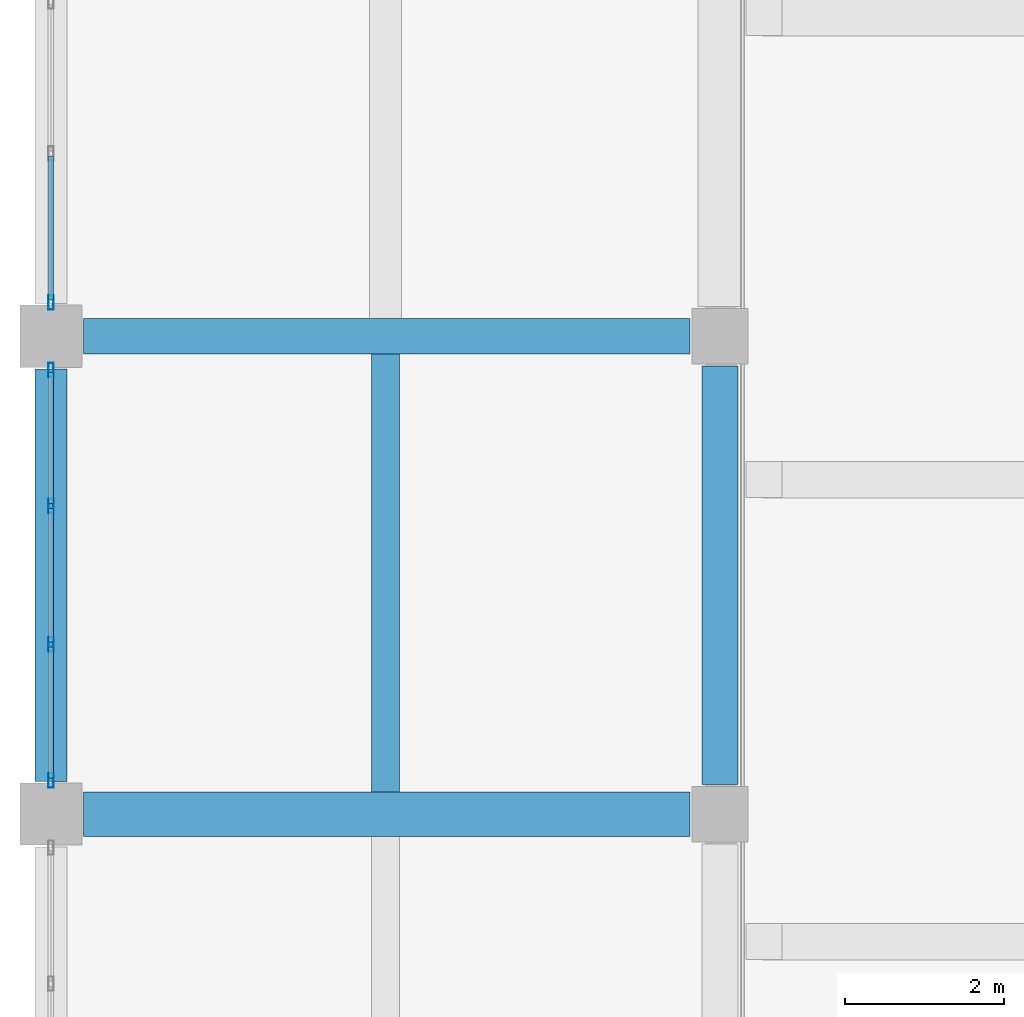
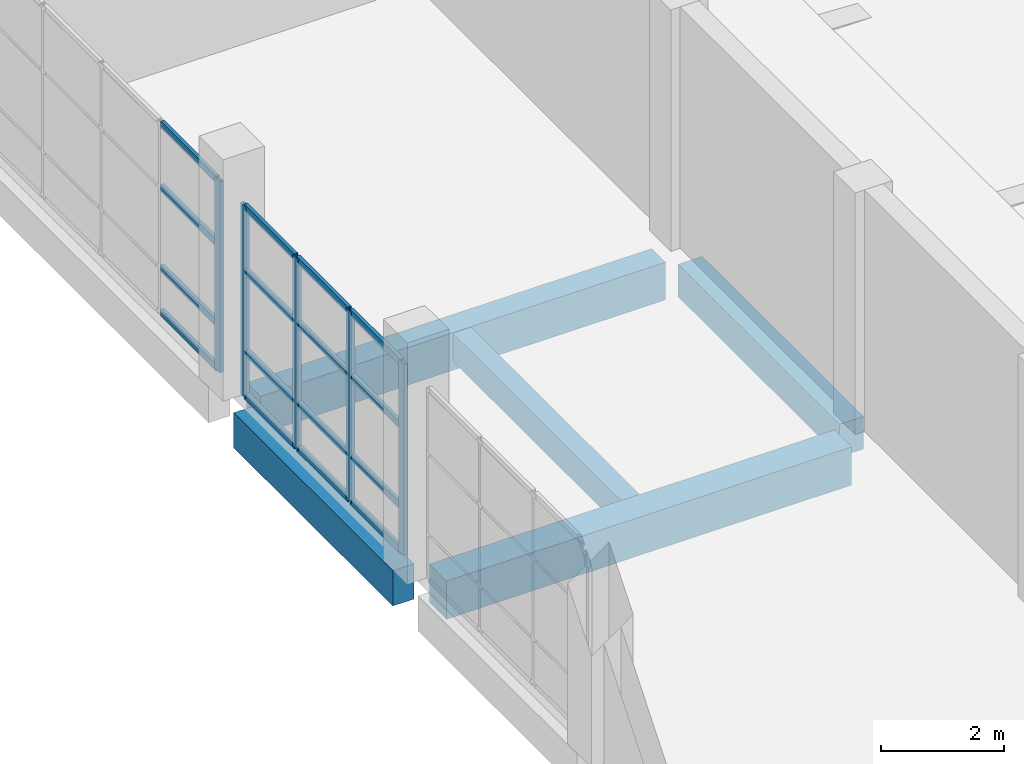
# One storey, part 11 of 91: 21 members, 5 beams, 2 elements without a shape of their own.
"""IFC4 building model written with IfcOpenShell, lengths in metres."""

from ifc_helpers import new_model, si_unit, direction, frame, origin, origin_2d, place, context, subcontext, project, spatial, rectangle, hollow_rectangle, extrude, material, material_profile, profile_set, type_object, element, aggregate, save


model = new_model("IFC4")

# Units and contexts
model_context = context("Model", 3, precision=1e-05, world=origin(), true_north=direction((0.0, 1.0)))
body_context = subcontext(model_context, "Body", "Model", "MODEL_VIEW")
ifc_project = project(units=[si_unit("LENGTHUNIT", "METRE"), si_unit("AREAUNIT", "SQUARE_METRE"), si_unit("VOLUMEUNIT", "CUBIC_METRE"), si_unit("PLANEANGLEUNIT", "RADIAN"), si_unit("MASSUNIT", "GRAM", prefix="KILO")], contexts=[model_context])

# Site, building, storey
site_placement = place(None, origin())
site = spatial("IfcSite", under=ifc_project, at=site_placement, CompositionType="ELEMENT")
building_placement = place(site_placement, origin())
building = spatial("IfcBuilding", under=site, at=building_placement, Name="Pellamere Symphony Hall", CompositionType="ELEMENT")
storey_placement = place(building_placement, frame((0.0, 0.0, 5.39990234375)))
storey = spatial("IfcBuildingStorey", under=building, at=storey_placement, Name="L01", CompositionType="ELEMENT", Elevation=5.39990234375)

# Curtain wall, members
ifc_material_1 = material(Name="Thermally Broken Anodised Aluminium 6063-T6 Curtain Wall", Category="aluminium")
curtain_wall_type = type_object("IfcCurtainWallType", Name="Curtain Wall CW-04 (Chamber Music Lobby Curtain Wall)", PredefinedType="NOTDEFINED", material=ifc_material_1)
curtain_wall_1_placement = place(storey_placement, origin())
curtain_wall_1 = element("IfcCurtainWall", 1, at=curtain_wall_1_placement, inside=storey, type_object=curtain_wall_type, Name="Chamber West Gallery Curtain Wall (L01 Bay 2)", PredefinedType="NOTDEFINED")
ifc_material_2 = material(Name="Anodised Architectural Aluminium 6063-T6", Category="aluminium")
ifc_material_profile_1 = material_profile(ifc_material_2, hollow_rectangle(XDim=0.06494140625, YDim=0.179931640625, WallThickness=0.00390625, at=origin_2d()), Name="ALU-M65X180X4")
ifc_profile_set_1 = profile_set([ifc_material_profile_1], Name="Anodised Architectural Aluminium 6063-T6")
member_type_1 = type_object("IfcMemberType", Name="Curtain Wall Mullion ML-02 ALU-M65X180X4", PredefinedType="MULLION", material=ifc_profile_set_1)
member_1_placement = place(storey_placement, frame((0.0, 24.422607421875, 0.0), z_axis=(0.0, 0.0, 1.0), x_axis=(-1.0, 0.0, 0.0)))
member_1 = element("IfcMember", 2, at=member_1_placement, type_object=member_type_1, Name="CW4W-122 crystal mullion 1", PredefinedType="MULLION", context=body_context, shape_type="SweptSolid", body=[
    extrude(hollow_rectangle(XDim=0.06494140625, YDim=0.179931640625, WallThickness=0.00390625, at=origin_2d()), origin(), (0.0, 0.0, 1.0), 3.800048828125),
])
member_2_placement = place(storey_placement, frame((0.0, 26.1298828125, 0.0), z_axis=(0.0, 0.0, 1.0), x_axis=(-1.0, 0.0, 0.0)))
member_2 = element("IfcMember", 3, at=member_2_placement, type_object=member_type_1, Name="CW4W-122 crystal mullion 2", PredefinedType="MULLION", context=body_context, shape_type="SweptSolid", body=[
    extrude(hollow_rectangle(XDim=0.06494140625, YDim=0.179931640625, WallThickness=0.00390625, at=origin_2d()), origin(), (0.0, 0.0, 1.0), 3.800048828125),
])
member_3_placement = place(storey_placement, frame((0.0, 27.8701171875, 0.0), z_axis=(0.0, 0.0, 1.0), x_axis=(-1.0, 0.0, 0.0)))
member_3 = element("IfcMember", 4, at=member_3_placement, type_object=member_type_1, Name="CW4W-122 crystal mullion 3", PredefinedType="MULLION", context=body_context, shape_type="SweptSolid", body=[
    extrude(hollow_rectangle(XDim=0.06494140625, YDim=0.179931640625, WallThickness=0.00390625, at=origin_2d()), origin(), (0.0, 0.0, 1.0), 3.800048828125),
])
member_4_placement = place(storey_placement, frame((0.0, 29.577392578125, 0.0), z_axis=(0.0, 0.0, 1.0), x_axis=(-1.0, 0.0, 0.0)))
member_4 = element("IfcMember", 5, at=member_4_placement, type_object=member_type_1, Name="CW4W-122 crystal mullion 4", PredefinedType="MULLION", context=body_context, shape_type="SweptSolid", body=[
    extrude(hollow_rectangle(XDim=0.06494140625, YDim=0.179931640625, WallThickness=0.00390625, at=origin_2d()), origin(), (0.0, 0.0, 1.0), 3.800048828125),
])

# Curtain wall, member
curtain_wall_2_placement = place(storey_placement, origin())
curtain_wall_2 = element("IfcCurtainWall", 6, at=curtain_wall_2_placement, inside=storey, type_object=curtain_wall_type, Name="Chamber West Gallery Curtain Wall (L01 Bay 3)", PredefinedType="NOTDEFINED")
member_5_placement = place(storey_placement, frame((0.0, 30.422607421875, 0.0), z_axis=(0.0, 0.0, 1.0), x_axis=(-1.0, 0.0, 0.0)))
member_5 = element("IfcMember", 7, at=member_5_placement, type_object=member_type_1, Name="CW4W-123 crystal mullion 1", PredefinedType="MULLION", context=body_context, shape_type="SweptSolid", body=[
    extrude(hollow_rectangle(XDim=0.06494140625, YDim=0.179931640625, WallThickness=0.00390625, at=origin_2d()), origin(), (0.0, 0.0, 1.0), 3.800048828125),
])

# Member
ifc_material_profile_2 = material_profile(ifc_material_2, hollow_rectangle(XDim=0.06494140625, YDim=0.139892578125, WallThickness=0.00390625, at=origin_2d()), Name="ALU-T65X140X4")
ifc_profile_set_2 = profile_set([ifc_material_profile_2], Name="Anodised Architectural Aluminium 6063-T6")
member_type_2 = type_object("IfcMemberType", Name="Curtain Wall Transom TR-02 ALU-T65X140X4", PredefinedType="USERDEFINED", material=ifc_profile_set_2)
member_6_placement = place(storey_placement, frame((0.0, 24.455078125, 0.03271484375), z_axis=(0.0, 1.0, 0.0), x_axis=(-1.0, 0.0, 0.0)))
member_6 = element("IfcMember", 8, at=member_6_placement, type_object=member_type_2, Name="CW4W-122 crystal transom 1.1", ObjectType="TRANSOM", PredefinedType="USERDEFINED", context=body_context, shape_type="SweptSolid", body=[
    extrude(hollow_rectangle(XDim=0.06494140625, YDim=0.139892578125, WallThickness=0.00390625, at=origin_2d()), origin(), (0.0, 0.0, 1.0), 1.642333984375),
])

member_7_placement = place(storey_placement, frame((0.0, 24.455078125, 0.912109375), z_axis=(0.0, 1.0, 0.0), x_axis=(-1.0, 0.0, 0.0)))
member_7 = element("IfcMember", 9, at=member_7_placement, type_object=member_type_2, Name="CW4W-122 crystal transom 1.2", ObjectType="TRANSOM", PredefinedType="USERDEFINED", context=body_context, shape_type="SweptSolid", body=[
    extrude(hollow_rectangle(XDim=0.06494140625, YDim=0.139892578125, WallThickness=0.00390625, at=origin_2d()), origin(), (0.0, 0.0, 1.0), 1.642333984375),
])

member_8_placement = place(storey_placement, frame((0.0, 24.455078125, 2.508056640625), z_axis=(0.0, 1.0, 0.0), x_axis=(-1.0, 0.0, 0.0)))
member_8 = element("IfcMember", 10, at=member_8_placement, type_object=member_type_2, Name="CW4W-122 crystal transom 1.3", ObjectType="TRANSOM", PredefinedType="USERDEFINED", context=body_context, shape_type="SweptSolid", body=[
    extrude(hollow_rectangle(XDim=0.06494140625, YDim=0.139892578125, WallThickness=0.00390625, at=origin_2d()), origin(), (0.0, 0.0, 1.0), 1.642333984375),
])

member_9_placement = place(storey_placement, frame((0.0, 24.455078125, 3.767578125), z_axis=(0.0, 1.0, 0.0), x_axis=(-1.0, 0.0, 0.0)))
member_9 = element("IfcMember", 11, at=member_9_placement, type_object=member_type_2, Name="CW4W-122 crystal transom 1.4", ObjectType="TRANSOM", PredefinedType="USERDEFINED", context=body_context, shape_type="SweptSolid", body=[
    extrude(hollow_rectangle(XDim=0.06494140625, YDim=0.139892578125, WallThickness=0.00390625, at=origin_2d()), origin(), (0.0, 0.0, 1.0), 1.642333984375),
])

member_10_placement = place(storey_placement, frame((0.0, 26.16259765625, 0.03271484375), z_axis=(0.0, 1.0, 0.0), x_axis=(-1.0, 0.0, 0.0)))
member_10 = element("IfcMember", 12, at=member_10_placement, type_object=member_type_2, Name="CW4W-122 crystal transom 2.1", ObjectType="TRANSOM", PredefinedType="USERDEFINED", context=body_context, shape_type="SweptSolid", body=[
    extrude(hollow_rectangle(XDim=0.06494140625, YDim=0.139892578125, WallThickness=0.00390625, at=origin_2d()), origin(), (0.0, 0.0, 1.0), 1.6748046875),
])

member_11_placement = place(storey_placement, frame((0.0, 26.16259765625, 0.912109375), z_axis=(0.0, 1.0, 0.0), x_axis=(-1.0, 0.0, 0.0)))
member_11 = element("IfcMember", 13, at=member_11_placement, type_object=member_type_2, Name="CW4W-122 crystal transom 2.2", ObjectType="TRANSOM", PredefinedType="USERDEFINED", context=body_context, shape_type="SweptSolid", body=[
    extrude(hollow_rectangle(XDim=0.06494140625, YDim=0.139892578125, WallThickness=0.00390625, at=origin_2d()), origin(), (0.0, 0.0, 1.0), 1.6748046875),
])

member_12_placement = place(storey_placement, frame((0.0, 26.16259765625, 2.508056640625), z_axis=(0.0, 1.0, 0.0), x_axis=(-1.0, 0.0, 0.0)))
member_12 = element("IfcMember", 14, at=member_12_placement, type_object=member_type_2, Name="CW4W-122 crystal transom 2.3", ObjectType="TRANSOM", PredefinedType="USERDEFINED", context=body_context, shape_type="SweptSolid", body=[
    extrude(hollow_rectangle(XDim=0.06494140625, YDim=0.139892578125, WallThickness=0.00390625, at=origin_2d()), origin(), (0.0, 0.0, 1.0), 1.6748046875),
])

member_13_placement = place(storey_placement, frame((0.0, 26.16259765625, 3.767578125), z_axis=(0.0, 1.0, 0.0), x_axis=(-1.0, 0.0, 0.0)))
member_13 = element("IfcMember", 15, at=member_13_placement, type_object=member_type_2, Name="CW4W-122 crystal transom 2.4", ObjectType="TRANSOM", PredefinedType="USERDEFINED", context=body_context, shape_type="SweptSolid", body=[
    extrude(hollow_rectangle(XDim=0.06494140625, YDim=0.139892578125, WallThickness=0.00390625, at=origin_2d()), origin(), (0.0, 0.0, 1.0), 1.6748046875),
])

member_14_placement = place(storey_placement, frame((0.0, 27.902587890625, 0.03271484375), z_axis=(0.0, 1.0, 0.0), x_axis=(-1.0, 0.0, 0.0)))
member_14 = element("IfcMember", 16, at=member_14_placement, type_object=member_type_2, Name="CW4W-122 crystal transom 3.1", ObjectType="TRANSOM", PredefinedType="USERDEFINED", context=body_context, shape_type="SweptSolid", body=[
    extrude(hollow_rectangle(XDim=0.06494140625, YDim=0.139892578125, WallThickness=0.00390625, at=origin_2d()), origin(), (0.0, 0.0, 1.0), 1.642333984375),
])

member_15_placement = place(storey_placement, frame((0.0, 27.902587890625, 0.912109375), z_axis=(0.0, 1.0, 0.0), x_axis=(-1.0, 0.0, 0.0)))
member_15 = element("IfcMember", 17, at=member_15_placement, type_object=member_type_2, Name="CW4W-122 crystal transom 3.2", ObjectType="TRANSOM", PredefinedType="USERDEFINED", context=body_context, shape_type="SweptSolid", body=[
    extrude(hollow_rectangle(XDim=0.06494140625, YDim=0.139892578125, WallThickness=0.00390625, at=origin_2d()), origin(), (0.0, 0.0, 1.0), 1.642333984375),
])

member_16_placement = place(storey_placement, frame((0.0, 27.902587890625, 2.508056640625), z_axis=(0.0, 1.0, 0.0), x_axis=(-1.0, 0.0, 0.0)))
member_16 = element("IfcMember", 18, at=member_16_placement, type_object=member_type_2, Name="CW4W-122 crystal transom 3.3", ObjectType="TRANSOM", PredefinedType="USERDEFINED", context=body_context, shape_type="SweptSolid", body=[
    extrude(hollow_rectangle(XDim=0.06494140625, YDim=0.139892578125, WallThickness=0.00390625, at=origin_2d()), origin(), (0.0, 0.0, 1.0), 1.642333984375),
])

member_17_placement = place(storey_placement, frame((0.0, 27.902587890625, 3.767578125), z_axis=(0.0, 1.0, 0.0), x_axis=(-1.0, 0.0, 0.0)))
member_17 = element("IfcMember", 19, at=member_17_placement, type_object=member_type_2, Name="CW4W-122 crystal transom 3.4", ObjectType="TRANSOM", PredefinedType="USERDEFINED", context=body_context, shape_type="SweptSolid", body=[
    extrude(hollow_rectangle(XDim=0.06494140625, YDim=0.139892578125, WallThickness=0.00390625, at=origin_2d()), origin(), (0.0, 0.0, 1.0), 1.642333984375),
])

aggregate(curtain_wall_1, [member_1, member_2, member_3, member_4, member_6, member_7, member_8, member_9, member_10, member_11, member_12, member_13, member_14, member_15, member_16, member_17])

member_18_placement = place(storey_placement, frame((0.0, 30.455078125, 0.03271484375), z_axis=(0.0, 1.0, 0.0), x_axis=(-1.0, 0.0, 0.0)))
member_18 = element("IfcMember", 20, at=member_18_placement, type_object=member_type_2, Name="CW4W-123 crystal transom 1.1", ObjectType="TRANSOM", PredefinedType="USERDEFINED", context=body_context, shape_type="SweptSolid", body=[
    extrude(hollow_rectangle(XDim=0.06494140625, YDim=0.139892578125, WallThickness=0.00390625, at=origin_2d()), origin(), (0.0, 0.0, 1.0), 1.807373046875),
])

member_19_placement = place(storey_placement, frame((0.0, 30.455078125, 0.912109375), z_axis=(0.0, 1.0, 0.0), x_axis=(-1.0, 0.0, 0.0)))
member_19 = element("IfcMember", 21, at=member_19_placement, type_object=member_type_2, Name="CW4W-123 crystal transom 1.2", ObjectType="TRANSOM", PredefinedType="USERDEFINED", context=body_context, shape_type="SweptSolid", body=[
    extrude(hollow_rectangle(XDim=0.06494140625, YDim=0.139892578125, WallThickness=0.00390625, at=origin_2d()), origin(), (0.0, 0.0, 1.0), 1.807373046875),
])

member_20_placement = place(storey_placement, frame((0.0, 30.455078125, 2.508056640625), z_axis=(0.0, 1.0, 0.0), x_axis=(-1.0, 0.0, 0.0)))
member_20 = element("IfcMember", 22, at=member_20_placement, type_object=member_type_2, Name="CW4W-123 crystal transom 1.3", ObjectType="TRANSOM", PredefinedType="USERDEFINED", context=body_context, shape_type="SweptSolid", body=[
    extrude(hollow_rectangle(XDim=0.06494140625, YDim=0.139892578125, WallThickness=0.00390625, at=origin_2d()), origin(), (0.0, 0.0, 1.0), 1.807373046875),
])

member_21_placement = place(storey_placement, frame((0.0, 30.455078125, 3.767578125), z_axis=(0.0, 1.0, 0.0), x_axis=(-1.0, 0.0, 0.0)))
member_21 = element("IfcMember", 23, at=member_21_placement, type_object=member_type_2, Name="CW4W-123 crystal transom 1.4", ObjectType="TRANSOM", PredefinedType="USERDEFINED", context=body_context, shape_type="SweptSolid", body=[
    extrude(hollow_rectangle(XDim=0.06494140625, YDim=0.139892578125, WallThickness=0.00390625, at=origin_2d()), origin(), (0.0, 0.0, 1.0), 1.807373046875),
])

aggregate(curtain_wall_2, [member_5, member_18, member_19, member_20, member_21])

# Beams
ifc_material_3 = material(Name="Concrete 40 MPa", Category="concrete")
ifc_material_profile_3 = material_profile(ifc_material_3, rectangle(XDim=0.449951171875, YDim=0.64990234375, at=origin_2d()), Name="RC 450x650")
ifc_profile_set_3 = profile_set([ifc_material_profile_3], Name="Concrete 40 MPa")
beam_type_1 = type_object("IfcBeamType", Name="RC CB-08 450x650", PredefinedType="BEAM", material=ifc_profile_set_3)
beam_1_placement = place(storey_placement, frame((8.39990234375, 24.375, -0.60498046875), z_axis=(0.0, 1.0, 0.0), x_axis=(-1.0, 0.0, 0.0)))
element("IfcBeam", 24, at=beam_1_placement, inside=storey, type_object=beam_type_1, Name="Girder CB-08-Y0722 (L01)", PredefinedType="BEAM", context=body_context, shape_type="SweptSolid", body=[
    extrude(rectangle(XDim=0.449951171875, YDim=0.64990234375, at=origin_2d()), origin(), (0.0, 0.0, 1.0), 5.25),
])
ifc_material_4 = material(Name="Concrete 35 MPa", Category="concrete")
ifc_material_profile_4 = material_profile(ifc_material_4, rectangle(XDim=0.35009765625, YDim=0.550048828125, at=origin_2d()), Name="RC 350x550")
ifc_profile_set_4 = profile_set([ifc_material_profile_4], Name="Concrete 35 MPa")
beam_type_2 = type_object("IfcBeamType", Name="RC CB-10 350x550", PredefinedType="BEAM", material=ifc_profile_set_4)
beam_2_placement = place(storey_placement, frame((4.199951171875, 24.280029296875, -0.56982421875), z_axis=(0.0, 1.0, 0.0), x_axis=(-1.0, 0.0, 0.0)))
element("IfcBeam", 25, at=beam_2_placement, inside=storey, type_object=beam_type_2, Name="Secondary Floor Beam CB-10-M0003 (L01)", PredefinedType="BEAM", context=body_context, shape_type="SweptSolid", body=[
    extrude(rectangle(XDim=0.35009765625, YDim=0.550048828125, at=origin_2d()), origin(), (0.0, 0.0, 1.0), 5.494873046875),
])
ifc_material_profile_5 = material_profile(ifc_material_3, rectangle(XDim=0.449951171875, YDim=0.75, at=origin_2d()), Name="RC 450x750")
ifc_profile_set_5 = profile_set([ifc_material_profile_5], Name="Concrete 40 MPa")
beam_type_3 = type_object("IfcBeamType", Name="RC CB-12 450x750", PredefinedType="SPANDREL", material=ifc_profile_set_5)
beam_3_placement = place(storey_placement, frame((0.409912109375, 30.0, -0.65478515625), z_axis=(1.0, 0.0, 0.0), x_axis=(0.0, 1.0, 0.0)))
element("IfcBeam", 26, at=beam_3_placement, inside=storey, type_object=beam_type_3, Name="Girder CB-12-X0577 (L01)", PredefinedType="SPANDREL", context=body_context, shape_type="SweptSolid", body=[
    extrude(rectangle(XDim=0.449951171875, YDim=0.75, at=origin_2d()), origin(), (0.0, 0.0, 1.0), 7.614990234375),
])
ifc_material_profile_6 = material_profile(ifc_material_3, rectangle(XDim=0.39990234375, YDim=0.699951171875, at=origin_2d()), Name="RC 400x700")
ifc_profile_set_6 = profile_set([ifc_material_profile_6], Name="Concrete 40 MPa")
beam_type_4 = type_object("IfcBeamType", Name="RC CB-13 400x700", PredefinedType="SPANDREL", material=ifc_profile_set_6)
beam_4_placement = place(storey_placement, frame((0.0, 24.409912109375, -0.6298828125), z_axis=(0.0, 1.0, 0.0), x_axis=(-1.0, 0.0, 0.0)))
element("IfcBeam", 27, at=beam_4_placement, inside=storey, type_object=beam_type_4, Name="Girder CB-13-Y0716 (L01)", PredefinedType="SPANDREL", context=body_context, shape_type="SweptSolid", body=[
    extrude(rectangle(XDim=0.39990234375, YDim=0.699951171875, at=origin_2d()), origin(), (0.0, 0.0, 1.0), 5.18017578125),
])
ifc_material_profile_7 = material_profile(ifc_material_3, rectangle(XDim=0.56005859375, YDim=0.760009765625, at=origin_2d()), Name="RC 560x760")
ifc_profile_set_7 = profile_set([ifc_material_profile_7], Name="Concrete 40 MPa")
beam_type_5 = type_object("IfcBeamType", Name="RC CB-18 560x760", PredefinedType="BEAM", material=ifc_profile_set_7)
beam_5_placement = place(storey_placement, frame((0.409912109375, 24.0, -0.659912109375), z_axis=(1.0, 0.0, 0.0), x_axis=(0.0, 1.0, 0.0)))
element("IfcBeam", 28, at=beam_5_placement, inside=storey, type_object=beam_type_5, Name="Girder CB-18-X0562 (L01)", PredefinedType="BEAM", context=body_context, shape_type="SweptSolid", body=[
    extrude(rectangle(XDim=0.56005859375, YDim=0.760009765625, at=origin_2d()), origin(), (0.0, 0.0, 1.0), 7.614990234375),
])

save(model, "model.ifc")
